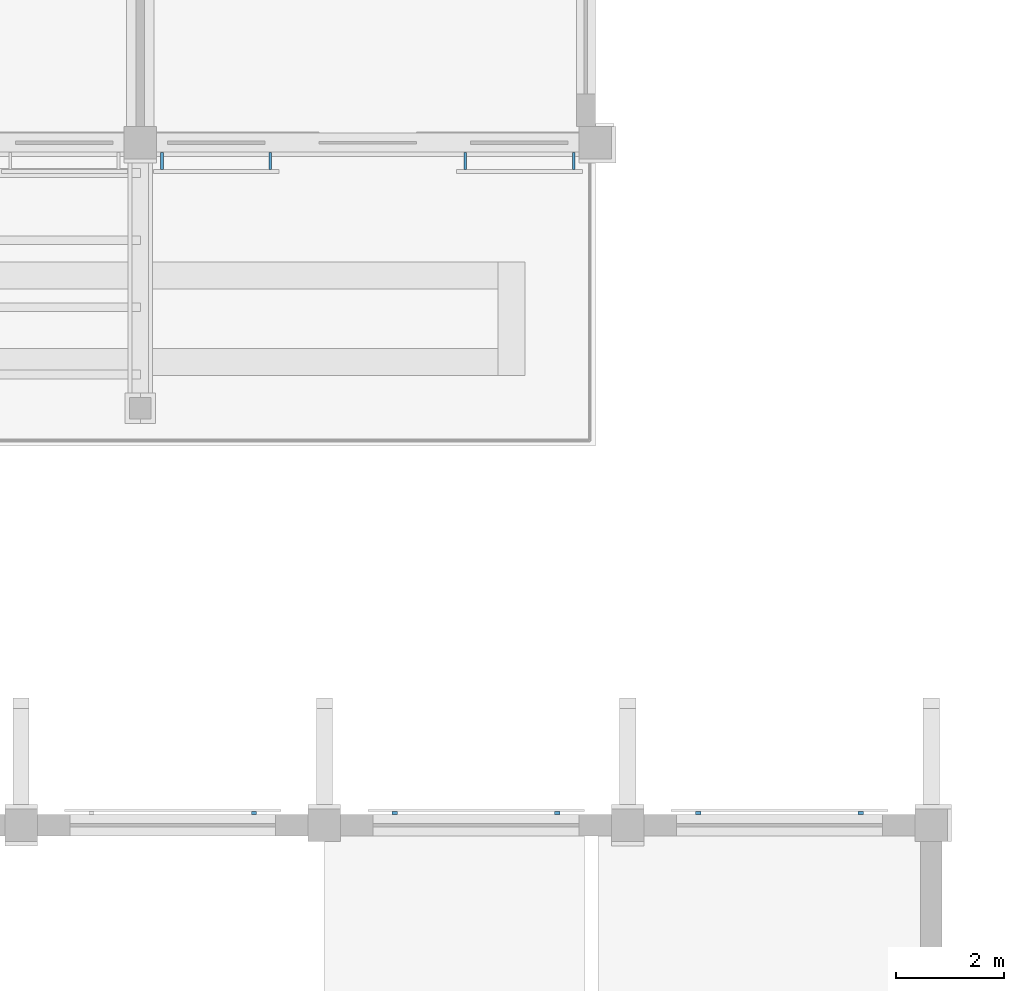
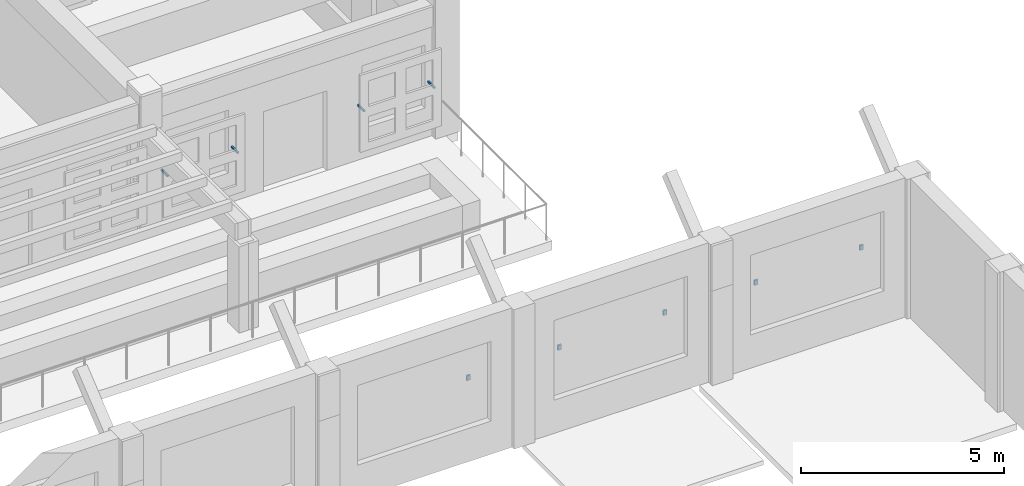
# One storey, part 50 of 68: 9 discrete accessories.
"""IFC4 building model written with IfcOpenShell, lengths in metres."""

from ifc_helpers import new_model, si_unit, direction, frame, origin, origin_2d, place, context, subcontext, project, spatial, rectangle, extrude, material, type_object, element, save


model = new_model("IFC4")

# Units and contexts
model_context = context("Model", 3, precision=1e-05, world=origin(), true_north=direction((0.0, 1.0)))
body_context = subcontext(model_context, "Body", "Model", "MODEL_VIEW")
ifc_project = project(units=[si_unit("LENGTHUNIT", "METRE"), si_unit("AREAUNIT", "SQUARE_METRE"), si_unit("VOLUMEUNIT", "CUBIC_METRE"), si_unit("PLANEANGLEUNIT", "RADIAN"), si_unit("MASSUNIT", "GRAM", prefix="KILO")], contexts=[model_context])

# Site, building, storey
site_placement = place(None, origin())
site = spatial("IfcSite", under=ifc_project, at=site_placement, CompositionType="ELEMENT")
building_placement = place(site_placement, origin())
building = spatial("IfcBuilding", under=site, at=building_placement, Name="Wasatch Bagh Community Centre", CompositionType="ELEMENT")
storey_placement = place(building_placement, frame((0.0, 0.0, 8.39990234375)))
storey = spatial("IfcBuildingStorey", under=building, at=storey_placement, Name="L02", CompositionType="ELEMENT", Elevation=8.39990234375)

# Discrete accessories
ifc_material = material(Name="Galvanised steel", Category="steel")
discrete_accessory_type = type_object("IfcDiscreteAccessoryType", Name="LW jali bracket", PredefinedType="BRACKET", material=ifc_material)
for number, where, z_axis, x_axis, name in (
    (1, (131.60009765625, 78.06005859375, 1.63525390625), (0.0, 0.0, 1.0), (1.0, 0.0, 0.0), "Jali bracket"),
    (2, (133.60009765625, 78.06005859375, 1.63525390625), (0.0, 0.0, 1.0), (1.0, 0.0, 0.0), "Jali bracket"),
    (3, (137.199951171875, 78.06005859375, 1.63525390625), (0.0, 0.0, 1.0), (1.0, 0.0, 0.0), "Jali bracket"),
    (4, (139.199951171875, 78.06005859375, 1.63525390625), (0.0, 0.0, 1.0), (1.0, 0.0, 0.0), "Jali bracket"),
):
    element("IfcDiscreteAccessory", number, at=place(storey_placement, frame(where, z_axis=z_axis, x_axis=x_axis)), inside=storey, type_object=discrete_accessory_type, Name=name, PredefinedType="BRACKET", context=body_context, shape_type="SweptSolid", body=[
        extrude(rectangle(XDim=0.050048828125, YDim=0.320068359375, at=origin_2d()), origin(), (0.0, 0.0, 1.0), 0.050048828125),
    ])
for number, where, z_axis, x_axis, name in (
    (5, (133.300048828125, 66.02490234375, 2.125244140625), (0.0, 0.0, 1.0), (1.0, 0.0, 0.0), "Fixing bracket"),
    (6, (135.89990234375, 66.02490234375, 2.125244140625), (0.0, 0.0, 1.0), (1.0, 0.0, 0.0), "Fixing bracket"),
    (7, (138.89990234375, 66.02490234375, 2.125244140625), (0.0, 0.0, 1.0), (1.0, 0.0, 0.0), "Fixing bracket"),
    (8, (141.5, 66.02490234375, 2.125244140625), (0.0, 0.0, 1.0), (1.0, 0.0, 0.0), "Fixing bracket"),
    (9, (144.5, 66.02490234375, 2.125244140625), (0.0, 0.0, 1.0), (1.0, 0.0, 0.0), "Fixing bracket"),
):
    element("IfcDiscreteAccessory", number, at=place(storey_placement, frame(where, z_axis=z_axis, x_axis=x_axis)), inside=storey, Name=name, PredefinedType="BRACKET", context=body_context, shape_type="SweptSolid", body=[
        extrude(rectangle(XDim=0.10009765625, YDim=0.050048828125, at=origin_2d()), origin(), (0.0, 0.0, 1.0), 0.14990234375),
    ])

save(model, "model.ifc")
